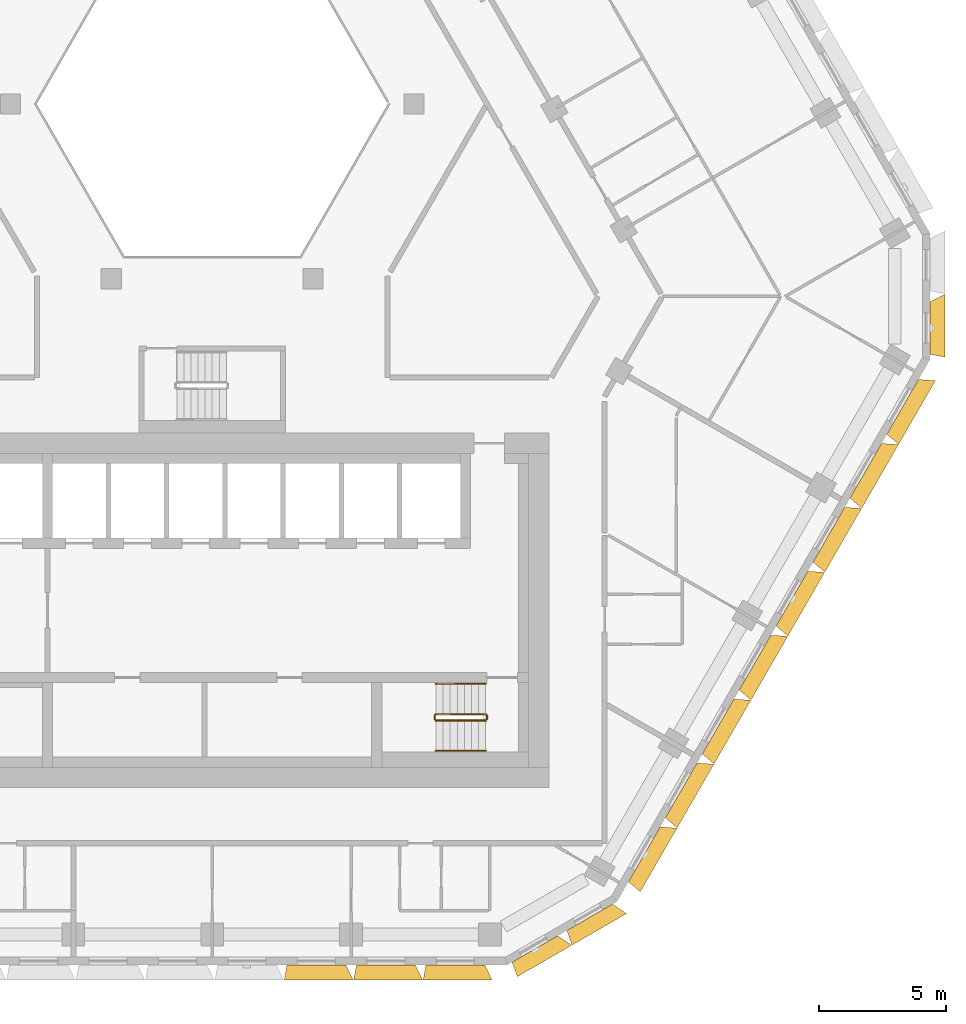
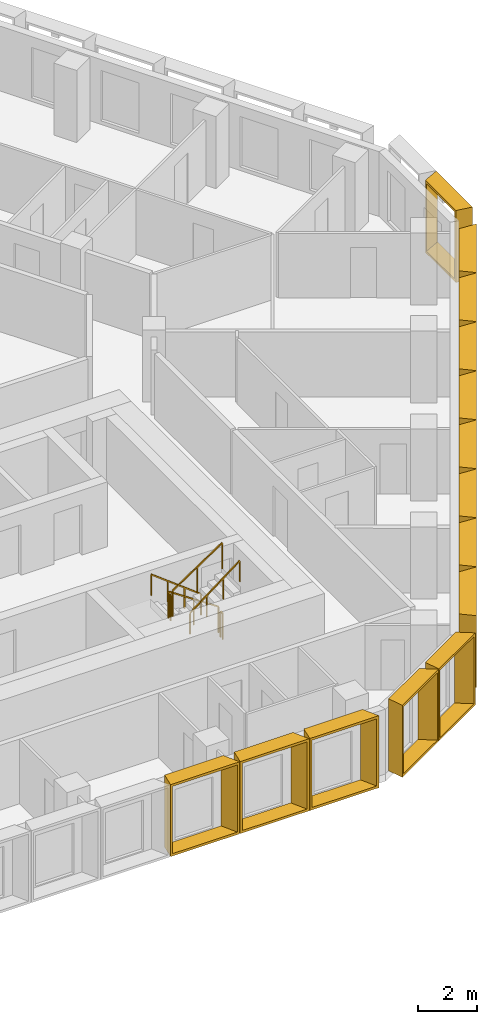
# One storey, part 16 of 17: 14 shading devices, 6 railings.
"""IFC4 building model written with IfcOpenShell, lengths in metres."""

from ifc_helpers import new_model, entity, si_unit, direction, frame, origin, origin_2d, place, context, subcontext, project, spatial, rectangle, extrude, source, transform, mapped, material, type_object, type_shapes, element, save


model = new_model("IFC4")

# Units and contexts
model_context = context("Model", 3, precision=1e-05, world=origin(), true_north=direction((0.0, 1.0)))
body_context = subcontext(model_context, "Body", "Model", "MODEL_VIEW")
ifc_project = project(units=[si_unit("LENGTHUNIT", "METRE"), si_unit("AREAUNIT", "SQUARE_METRE"), si_unit("VOLUMEUNIT", "CUBIC_METRE"), si_unit("PLANEANGLEUNIT", "RADIAN"), si_unit("MASSUNIT", "GRAM", prefix="KILO")], contexts=[model_context])

# Site, building, storey
site_placement = place(None, origin())
site = spatial("IfcSite", under=ifc_project, at=site_placement, CompositionType="ELEMENT")
building_placement = place(site_placement, origin())
building = spatial("IfcBuilding", under=site, at=building_placement, Name="Beryl Residences", CompositionType="ELEMENT")
storey_placement = place(building_placement, frame((0.0, 0.0, 144.60009765625)))
storey = spatial("IfcBuildingStorey", under=building, at=storey_placement, Name="L44", CompositionType="ELEMENT", Elevation=144.60009765625)

# Shading devices
ifc_material_1 = material(Name="Aluminium pale anodised", Category="aluminium")
shading_device_type_1 = type_object("IfcShadingDeviceType", Name="FR250-60C OUTER SKIN frame 600 mm deep, splay 10/26 deg, 2500 x 3000 mm cell", PredefinedType="USERDEFINED", material=ifc_material_1)
cartesian_point_1 = entity("IfcCartesianPoint", [-1.04052734375, 0.0])
cartesian_point_2 = entity("IfcCartesianPoint", [-0.959228515625, 0.10009765625])
cartesian_point_3 = entity("IfcCartesianPoint", [-1.146240234375, 0.0])
cartesian_point_4 = entity("IfcCartesianPoint", [-1.06494140625, 0.10009765625])
shared_shape_1 = source(origin(), body_context, "Body", "SweptSolid", [
    entity("IfcExtrudedAreaSolidTapered", entity("IfcArbitraryProfileDefWithVoids", "AREA", None, entity("IfcPolyline", [cartesian_point_1, entity("IfcCartesianPoint", [1.04052734375, 0.0]), entity("IfcCartesianPoint", [1.04052734375, 3.0]), entity("IfcCartesianPoint", [-1.04052734375, 3.0]), cartesian_point_1]), [entity("IfcPolyline", [cartesian_point_2, entity("IfcCartesianPoint", [0.951416015625, 0.10009765625]), entity("IfcCartesianPoint", [0.951416015625, 2.89990234375]), entity("IfcCartesianPoint", [-0.959228515625, 2.89990234375]), cartesian_point_2])]), entity("IfcAxis2Placement3D", entity("IfcCartesianPoint", [0.0, 0.0, 0.0]), entity("IfcDirection", [0.0, 1.0, 0.0]), entity("IfcDirection", [-1.0, 0.0, 0.0])), entity("IfcDirection", [0.0, 0.0, 1.0]), 0.60009765625, entity("IfcArbitraryProfileDefWithVoids", "AREA", None, entity("IfcPolyline", [cartesian_point_3, entity("IfcCartesianPoint", [1.333251953125, 0.0]), entity("IfcCartesianPoint", [1.333251953125, 3.0]), entity("IfcCartesianPoint", [-1.146240234375, 3.0]), cartesian_point_3]), [entity("IfcPolyline", [cartesian_point_4, entity("IfcCartesianPoint", [1.244140625, 0.10009765625]), entity("IfcCartesianPoint", [1.244140625, 2.89990234375]), entity("IfcCartesianPoint", [-1.06494140625, 2.89990234375]), cartesian_point_4])])),
])
type_shapes(shading_device_type_1, [shared_shape_1])
for number, where, z_axis, x_axis, name in (
    (1, (12.7451171875, -25.375, 0.0), (0.0, 0.0, 1.0), (-0.866025403784, -0.5, 0.0), "FR250-60C frame L44 S-SE 1"),
    (2, (14.909912109375, -24.125, 0.0), (0.0, 0.0, 1.0), (-0.866025403784, -0.5, 0.0), "FR250-60C frame L44 S-SE 2"),
    (3, (28.347900390625, -0.85009765625, 0.0), (0.0, 0.0, 1.0), (0.0, -1.0, 0.0), "FR250-60C frame L44 SE-NE 1"),
):
    element("IfcShadingDevice", number, at=place(storey_placement, frame(where, z_axis=z_axis, x_axis=x_axis)), inside=storey, type_object=shading_device_type_1, Name=name, ObjectType="OUTER SKIN", PredefinedType="USERDEFINED", context=body_context, shape_type="MappedRepresentation", body=[
        mapped(shared_shape_1, transform((0.0, 0.0, 0.0))),
    ])
ifc_material_2 = material(Name="Aluminium pale anodised", Category="aluminium")
shading_device_type_2 = type_object("IfcShadingDeviceType", Name="FR274-60C OUTER SKIN frame 600 mm deep, splay 10/26 deg, 2740 x 3000 mm cell", PredefinedType="USERDEFINED", material=ifc_material_2)
cartesian_point_5 = entity("IfcCartesianPoint", [-1.160400390625, 0.0])
cartesian_point_6 = entity("IfcCartesianPoint", [-1.079345703125, 0.10009765625])
cartesian_point_7 = entity("IfcCartesianPoint", [-1.266357421875, 0.0])
cartesian_point_8 = entity("IfcCartesianPoint", [-1.18505859375, 0.10009765625])
shared_shape_2 = source(origin(), body_context, "Body", "SweptSolid", [
    entity("IfcExtrudedAreaSolidTapered", entity("IfcArbitraryProfileDefWithVoids", "AREA", None, entity("IfcPolyline", [cartesian_point_5, entity("IfcCartesianPoint", [1.160400390625, 0.0]), entity("IfcCartesianPoint", [1.160400390625, 3.0]), entity("IfcCartesianPoint", [-1.160400390625, 3.0]), cartesian_point_5]), [entity("IfcPolyline", [cartesian_point_6, entity("IfcCartesianPoint", [1.071533203125, 0.10009765625]), entity("IfcCartesianPoint", [1.071533203125, 2.89990234375]), entity("IfcCartesianPoint", [-1.079345703125, 2.89990234375]), cartesian_point_6])]), entity("IfcAxis2Placement3D", entity("IfcCartesianPoint", [0.0, 0.0, 0.0]), entity("IfcDirection", [0.0, 1.0, 0.0]), entity("IfcDirection", [-1.0, 0.0, 0.0])), entity("IfcDirection", [0.0, 0.0, 1.0]), 0.60009765625, entity("IfcArbitraryProfileDefWithVoids", "AREA", None, entity("IfcPolyline", [cartesian_point_7, entity("IfcCartesianPoint", [1.453125, 0.0]), entity("IfcCartesianPoint", [1.453125, 3.0]), entity("IfcCartesianPoint", [-1.266357421875, 3.0]), cartesian_point_7]), [entity("IfcPolyline", [cartesian_point_8, entity("IfcCartesianPoint", [1.364013671875, 0.10009765625]), entity("IfcCartesianPoint", [1.364013671875, 2.89990234375]), entity("IfcCartesianPoint", [-1.18505859375, 2.89990234375]), cartesian_point_8])])),
])
type_shapes(shading_device_type_2, [shared_shape_2])
for number, where, z_axis, x_axis, name in (
    (4, (4.114990234375, -26.0, 0.0), (0.0, 0.0, 1.0), (-1.0, 0.0, 0.0), "FR274-60C frame L44 S 6"),
    (5, (6.85693359375, -26.0, 0.0), (0.0, 0.0, 1.0), (-1.0, 0.0, 0.0), "FR274-60C frame L44 S 7"),
    (6, (9.60009765625, -26.0, 0.0), (0.0, 0.0, 1.0), (-1.0, 0.0, 0.0), "FR274-60C frame L44 S 8"),
):
    element("IfcShadingDevice", number, at=place(storey_placement, frame(where, z_axis=z_axis, x_axis=x_axis)), inside=storey, type_object=shading_device_type_2, Name=name, ObjectType="OUTER SKIN", PredefinedType="USERDEFINED", context=body_context, shape_type="MappedRepresentation", body=[
        mapped(shared_shape_2, transform((0.0, 0.0, 0.0))),
    ])
ifc_material_3 = material(Name="Aluminium pale anodised", Category="aluminium")
shading_device_type_3 = type_object("IfcShadingDeviceType", Name="FR292-60C OUTER SKIN frame 600 mm deep, splay 10/26 deg, 2920 x 3000 mm cell", PredefinedType="USERDEFINED", material=ifc_material_3)
cartesian_point_9 = entity("IfcCartesianPoint", [-1.25048828125, 0.0])
cartesian_point_10 = entity("IfcCartesianPoint", [-1.169189453125, 0.10009765625])
cartesian_point_11 = entity("IfcCartesianPoint", [-1.356201171875, 0.0])
cartesian_point_12 = entity("IfcCartesianPoint", [-1.275146484375, 0.10009765625])
shared_shape_3 = source(origin(), body_context, "Body", "SweptSolid", [
    entity("IfcExtrudedAreaSolidTapered", entity("IfcArbitraryProfileDefWithVoids", "AREA", None, entity("IfcPolyline", [cartesian_point_9, entity("IfcCartesianPoint", [1.25048828125, 0.0]), entity("IfcCartesianPoint", [1.25048828125, 3.0]), entity("IfcCartesianPoint", [-1.25048828125, 3.0]), cartesian_point_9]), [entity("IfcPolyline", [cartesian_point_10, entity("IfcCartesianPoint", [1.161376953125, 0.10009765625]), entity("IfcCartesianPoint", [1.161376953125, 2.89990234375]), entity("IfcCartesianPoint", [-1.169189453125, 2.89990234375]), cartesian_point_10])]), entity("IfcAxis2Placement3D", entity("IfcCartesianPoint", [0.0, 0.0, 0.0]), entity("IfcDirection", [0.0, 1.0, 0.0]), entity("IfcDirection", [-1.0, 0.0, 0.0])), entity("IfcDirection", [0.0, 0.0, 1.0]), 0.60009765625, entity("IfcArbitraryProfileDefWithVoids", "AREA", None, entity("IfcPolyline", [cartesian_point_11, entity("IfcCartesianPoint", [1.543212890625, 0.0]), entity("IfcCartesianPoint", [1.543212890625, 3.0]), entity("IfcCartesianPoint", [-1.356201171875, 3.0]), cartesian_point_11]), [entity("IfcPolyline", [cartesian_point_12, entity("IfcCartesianPoint", [1.4541015625, 0.10009765625]), entity("IfcCartesianPoint", [1.4541015625, 2.89990234375]), entity("IfcCartesianPoint", [-1.275146484375, 2.89990234375]), cartesian_point_12])])),
])
type_shapes(shading_device_type_3, [shared_shape_3])
for number, where, z_axis, x_axis, name in (
    (7, (17.06689453125, -21.637939453125, 0.0), (0.0, 0.0, 1.0), (-0.5, -0.866025403784, 0.0), "FR292-60C frame L44 SE 1"),
    (8, (18.52490234375, -19.113037109375, 0.0), (0.0, 0.0, 1.0), (-0.5, -0.866025403784, 0.0), "FR292-60C frame L44 SE 2"),
    (9, (19.98291015625, -16.587890625, 0.0), (0.0, 0.0, 1.0), (-0.5, -0.866025403784, 0.0), "FR292-60C frame L44 SE 3"),
    (10, (21.44091796875, -14.06298828125, 0.0), (0.0, 0.0, 1.0), (-0.5, -0.866025403784, 0.0), "FR292-60C frame L44 SE 4"),
    (11, (22.89794921875, -11.5380859375, 0.0), (0.0, 0.0, 1.0), (-0.5, -0.866025403784, 0.0), "FR292-60C frame L44 SE 5"),
    (12, (24.35595703125, -9.013916015625, 0.0), (0.0, 0.0, 1.0), (-0.5, -0.866025403784, 0.0), "FR292-60C frame L44 SE 6"),
    (13, (25.81396484375, -6.489013671875, 0.0), (0.0, 0.0, 1.0), (-0.5, -0.866025403784, 0.0), "FR292-60C frame L44 SE 7"),
    (14, (27.27197265625, -3.964111328125, 0.0), (0.0, 0.0, 1.0), (-0.5, -0.866025403784, 0.0), "FR292-60C frame L44 SE 8"),
):
    element("IfcShadingDevice", number, at=place(storey_placement, frame(where, z_axis=z_axis, x_axis=x_axis)), inside=storey, type_object=shading_device_type_3, Name=name, ObjectType="OUTER SKIN", PredefinedType="USERDEFINED", context=body_context, shape_type="MappedRepresentation", body=[
        mapped(shared_shape_3, transform((0.0, 0.0, 0.0))),
    ])

# Railings
ifc_material_4 = material(Name="Stainless steel balustrade with glass infill", Category="steel")
railing_type_1 = type_object("IfcRailingType", Name="SG1 stair guard 1100 mm", PredefinedType="GUARDRAIL", material=ifc_material_4)
railing_1_placement = place(storey_placement, frame((10.800048828125, -16.10009765625, 0.1875)))
element("IfcRailing", 15, at=railing_1_placement, inside=storey, type_object=railing_type_1, Name="L44 ST-3 stair guard 1", PredefinedType="GUARDRAIL", context=body_context, shape_type="SweptSolid", body=[
    extrude(rectangle(XDim=0.048095703125, YDim=0.048095703125, at=origin_2d()), frame((0.0, 0.0, 1.076171875), z_axis=(-0.830902050051, 0.0, 0.556418712142), x_axis=(0.0, -1.0, 0.0)), (0.0, 0.0, 1.0), 2.35888671875),
    extrude(rectangle(XDim=0.0419921875, YDim=0.0419921875, at=origin_2d()), origin(), (0.0, 0.0, 1.0), 1.052001953125),
    extrude(rectangle(XDim=0.0419921875, YDim=0.0419921875, at=origin_2d()), frame((-0.97998046875, 0.0, 0.65625)), (0.0, 0.0, 1.0), 1.052001953125),
    extrude(rectangle(XDim=0.0419921875, YDim=0.0419921875, at=origin_2d()), frame((-1.9599609375, 0.0, 1.3125)), (0.0, 0.0, 1.0), 1.052001953125),
])
railing_2_placement = place(storey_placement, frame((8.7900390625, -16.14990234375, 1.5)))
element("IfcRailing", 16, at=railing_2_placement, inside=storey, type_object=railing_type_1, Name="L44 ST-3 stair guard 2", PredefinedType="GUARDRAIL", context=body_context, shape_type="SweptSolid", body=[
    extrude(rectangle(XDim=0.048095703125, YDim=0.048095703125, at=origin_2d()), frame((0.0, 0.0, 1.076171875), z_axis=(0.0, -1.0, 0.0), x_axis=(1.0, 0.0, 0.0)), (0.0, 0.0, 1.0), 0.150146484375),
    extrude(rectangle(XDim=0.0419921875, YDim=0.0419921875, at=origin_2d()), origin(), (0.0, 0.0, 1.0), 1.052001953125),
    extrude(rectangle(XDim=0.0419921875, YDim=0.0419921875, at=origin_2d()), frame((0.0, -0.150146484375, 0.0)), (0.0, 0.0, 1.0), 1.052001953125),
])
railing_3_placement = place(storey_placement, frame((8.840087890625, -16.35009765625, 1.6875)))
element("IfcRailing", 17, at=railing_3_placement, inside=storey, type_object=railing_type_1, Name="L44 ST-3 stair guard 3", PredefinedType="GUARDRAIL", context=body_context, shape_type="SweptSolid", body=[
    extrude(rectangle(XDim=0.048095703125, YDim=0.048095703125, at=origin_2d()), frame((0.0, 0.0, 1.076171875), z_axis=(0.830902050051, 0.0, 0.556418712142), x_axis=(0.0, 1.0, 0.0)), (0.0, 0.0, 1.0), 2.35888671875),
    extrude(rectangle(XDim=0.0419921875, YDim=0.0419921875, at=origin_2d()), origin(), (0.0, 0.0, 1.0), 1.052001953125),
    extrude(rectangle(XDim=0.0419921875, YDim=0.0419921875, at=origin_2d()), frame((0.97998046875, 0.0, 0.65625)), (0.0, 0.0, 1.0), 1.052001953125),
    extrude(rectangle(XDim=0.0419921875, YDim=0.0419921875, at=origin_2d()), frame((1.9599609375, 0.0, 1.3125)), (0.0, 0.0, 1.0), 1.052001953125),
])
railing_4_placement = place(storey_placement, frame((10.85009765625, -16.14990234375, 0.0)))
element("IfcRailing", 18, at=railing_4_placement, inside=storey, type_object=railing_type_1, Name="L44 ST-3 stair guard 4", PredefinedType="GUARDRAIL", context=body_context, shape_type="SweptSolid", body=[
    extrude(rectangle(XDim=0.048095703125, YDim=0.048095703125, at=origin_2d()), frame((0.0, 0.0, 1.076171875), z_axis=(0.0, -1.0, 0.0), x_axis=(1.0, 0.0, 0.0)), (0.0, 0.0, 1.0), 0.150146484375),
    extrude(rectangle(XDim=0.0419921875, YDim=0.0419921875, at=origin_2d()), origin(), (0.0, 0.0, 1.0), 1.052001953125),
    extrude(rectangle(XDim=0.0419921875, YDim=0.0419921875, at=origin_2d()), frame((0.0, -0.150146484375, 0.0)), (0.0, 0.0, 1.0), 1.052001953125),
])
ifc_material_5 = material(Name="Stainless steel handrail", Category="steel")
railing_type_2 = type_object("IfcRailingType", Name="SRL1 stair handrail 900 mm", PredefinedType="HANDRAIL", material=ifc_material_5)
railing_5_placement = place(storey_placement, frame((10.800048828125, -14.89990234375, 0.1875)))
element("IfcRailing", 19, at=railing_5_placement, inside=storey, type_object=railing_type_2, Name="L44 ST-3 stair handrail 1", PredefinedType="HANDRAIL", context=body_context, shape_type="SweptSolid", body=[
    extrude(rectangle(XDim=0.048095703125, YDim=0.048095703125, at=origin_2d()), frame((0.0, 0.0, 0.8759765625), z_axis=(-0.794121922505, 0.0, 0.607758481798), x_axis=(0.0, -1.0, 0.0)), (0.0, 0.0, 1.0), 2.468017578125),
    extrude(rectangle(XDim=0.0419921875, YDim=0.0419921875, at=origin_2d()), origin(), (0.0, 0.0, 1.0), 0.851806640625),
    extrude(rectangle(XDim=0.0419921875, YDim=0.0419921875, at=origin_2d()), frame((-0.6533203125, 0.0, 0.5)), (0.0, 0.0, 1.0), 0.851806640625),
    extrude(rectangle(XDim=0.0419921875, YDim=0.0419921875, at=origin_2d()), frame((-1.306640625, 0.0, 1.0)), (0.0, 0.0, 1.0), 0.851806640625),
    extrude(rectangle(XDim=0.0419921875, YDim=0.0419921875, at=origin_2d()), frame((-1.9599609375, 0.0, 1.5)), (0.0, 0.0, 1.0), 0.851806640625),
])
railing_6_placement = place(storey_placement, frame((8.840087890625, -17.550048828125, 1.6875)))
element("IfcRailing", 20, at=railing_6_placement, inside=storey, type_object=railing_type_2, Name="L44 ST-3 stair handrail 2", PredefinedType="HANDRAIL", context=body_context, shape_type="SweptSolid", body=[
    extrude(rectangle(XDim=0.048095703125, YDim=0.048095703125, at=origin_2d()), frame((0.0, 0.0, 0.8759765625), z_axis=(0.794121922505, 0.0, 0.607758481798), x_axis=(0.0, 1.0, 0.0)), (0.0, 0.0, 1.0), 2.468017578125),
    extrude(rectangle(XDim=0.0419921875, YDim=0.0419921875, at=origin_2d()), origin(), (0.0, 0.0, 1.0), 0.851806640625),
    extrude(rectangle(XDim=0.0419921875, YDim=0.0419921875, at=origin_2d()), frame((0.6533203125, 0.0, 0.5)), (0.0, 0.0, 1.0), 0.851806640625),
    extrude(rectangle(XDim=0.0419921875, YDim=0.0419921875, at=origin_2d()), frame((1.306640625, 0.0, 1.0)), (0.0, 0.0, 1.0), 0.851806640625),
    extrude(rectangle(XDim=0.0419921875, YDim=0.0419921875, at=origin_2d()), frame((1.9599609375, 0.0, 1.5)), (0.0, 0.0, 1.0), 0.851806640625),
])

save(model, "model.ifc")
